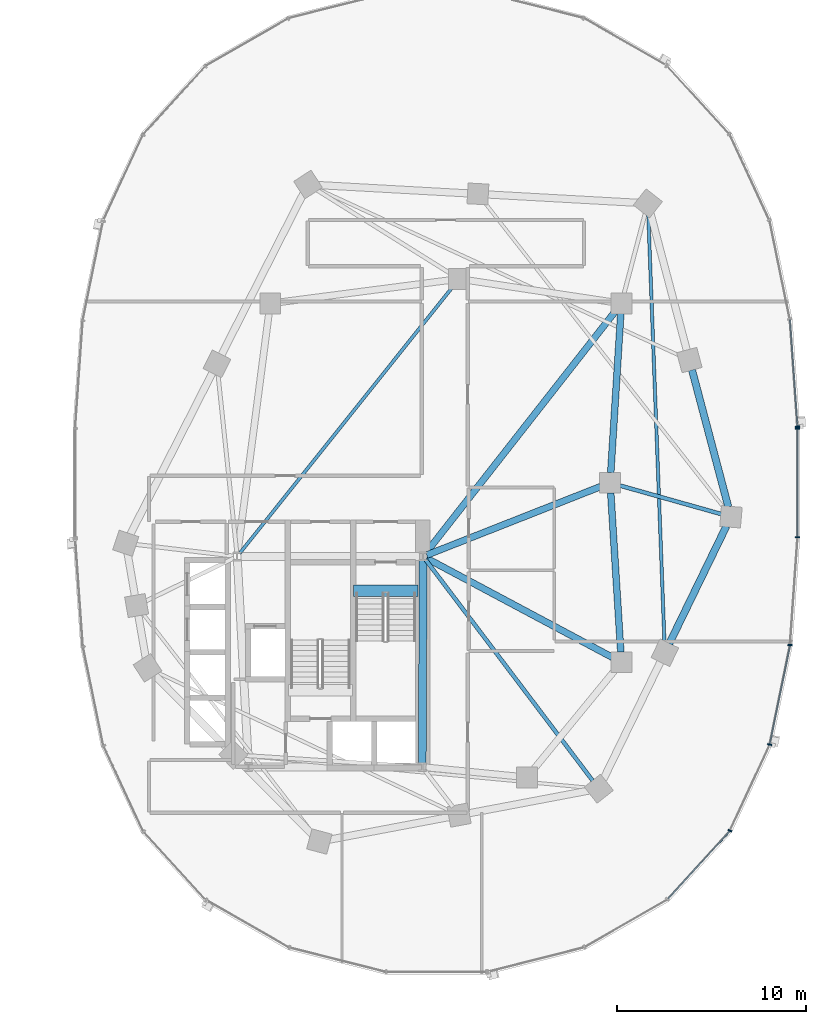
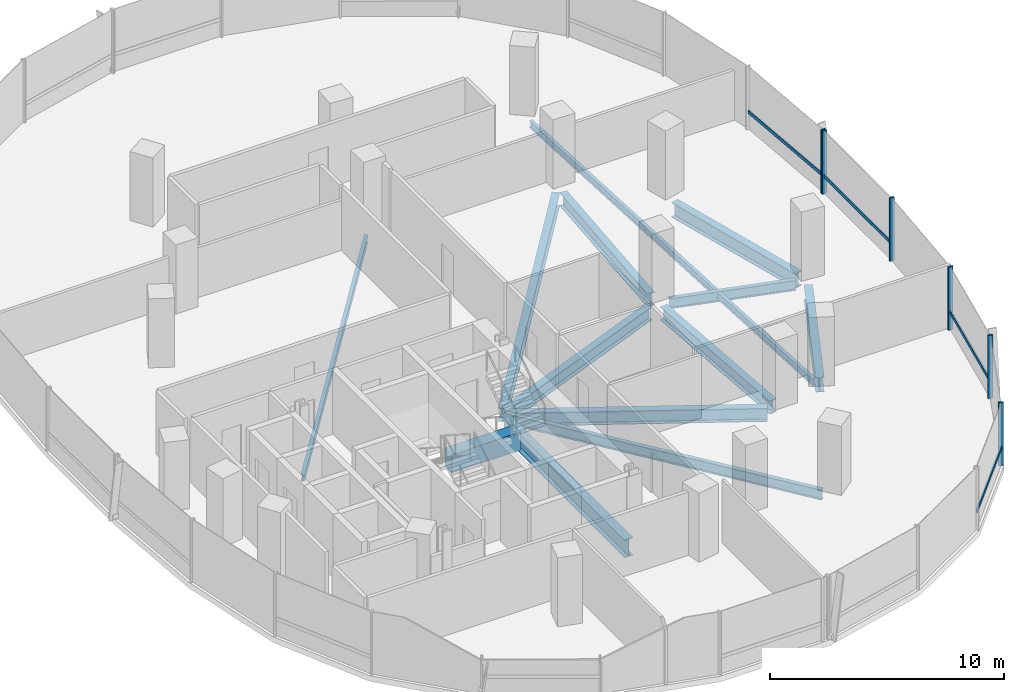
# One storey, part 6 of 21: 13 beams, 10 members, 2 elements without a shape of their own.
"""IFC4 building model written with IfcOpenShell, lengths in metres."""

from ifc_helpers import new_model, si_unit, direction, frame, origin, origin_2d, place, context, subcontext, project, spatial, rectangle, i_section, extrude, material, material_profile, profile_set, type_object, element, aggregate, save


model = new_model("IFC4")

# Units and contexts
model_context = context("Model", 3, precision=1e-05, world=origin(), true_north=direction((0.0, 1.0)))
body_context = subcontext(model_context, "Body", "Model", "MODEL_VIEW")
ifc_project = project(units=[si_unit("LENGTHUNIT", "METRE"), si_unit("AREAUNIT", "SQUARE_METRE"), si_unit("VOLUMEUNIT", "CUBIC_METRE"), si_unit("PLANEANGLEUNIT", "RADIAN"), si_unit("MASSUNIT", "GRAM", prefix="KILO"), si_unit("THERMODYNAMICTEMPERATUREUNIT", "KELVIN"), si_unit("POWERUNIT", "WATT")], contexts=[model_context])

# Site, building, storey
site_placement = place(None, origin())
site = spatial("IfcSite", under=ifc_project, at=site_placement, CompositionType="ELEMENT")
building_placement = place(site_placement, origin())
building = spatial("IfcBuilding", under=site, at=building_placement, Name="Cundina Bronze Exchange", CompositionType="ELEMENT")
storey_placement = place(building_placement, frame((0.0, 0.0, 107.0)))
storey = spatial("IfcBuildingStorey", under=building, at=storey_placement, Name="L27", CompositionType="ELEMENT", Elevation=107.0)

# Beams
ifc_material_1 = material(Name="Concrete C60/75", Category="concrete")
ifc_material_profile_1 = material_profile(ifc_material_1, rectangle(XDim=0.60009765625, YDim=0.949951171875, at=origin_2d()), Name="RC600X950", Category="concrete")
ifc_profile_set_1 = profile_set([ifc_material_profile_1], Name="Concrete C60/75")
beam_type_1 = type_object("IfcBeamType", Name="BM-COUP-RC950", PredefinedType="LINTEL", material=ifc_profile_set_1)
beam_1_placement = place(storey_placement, frame((27.6201171875, -5.719970703125, -0.47509765625), z_axis=(1.0, 0.0, 0.0), x_axis=(0.0, 1.0, 0.0)))
element("IfcBeam", 1, at=beam_1_placement, inside=storey, type_object=beam_type_1, Name="L27 Stair E1 Landing Header Beam", PredefinedType="LINTEL", context=body_context, shape_type="SweptSolid", body=[
    extrude(rectangle(XDim=0.60009765625, YDim=0.949951171875, at=origin_2d()), origin(), (0.0, 0.0, 1.0), 3.39990234375),
])
ifc_material_2 = material(Name="Steel ASTM A992 Grade 50", Category="steel")
ifc_material_profile_2 = material_profile(ifc_material_2, i_section(OverallWidth=0.2099609375, OverallDepth=0.532958984375, WebThickness=0.01025390625, FlangeThickness=0.015625, FilletRadius=0.013916015625, at=origin_2d()), Name="W21X62", Category="steel")
ifc_profile_set_2 = profile_set([ifc_material_profile_2], Name="Steel ASTM A992 Grade 50")
beam_type_2 = type_object("IfcBeamType", Name="BM-FLR-W21B", PredefinedType="BEAM", material=ifc_profile_set_2)
beam_2_placement = place(storey_placement, frame((31.423095703125, -4.062744140625, -0.56640625), z_axis=(0.603095885041, -0.797668699052, 0.0), x_axis=(0.797668699052, 0.603095885041, 0.0)))
element("IfcBeam", 2, at=beam_2_placement, inside=storey, type_object=beam_type_2, Name="L27 Leg E Chordal Floor Beam 06", PredefinedType="BEAM", context=body_context, shape_type="SweptSolid", body=[
    extrude(i_section(OverallWidth=0.2099609375, OverallDepth=0.532958984375, WebThickness=0.01025390625, FlangeThickness=0.015625, FilletRadius=0.013916015625, at=origin_2d()), origin(), (0.0, 0.0, 1.0), 14.677978515625),
])
beam_3_placement = place(storey_placement, frame((41.718017578125, -0.145751953125, -0.56640625), z_axis=(0.962654865541, -0.270731619598, 0.0), x_axis=(0.270731619598, 0.962654865541, 0.0)))
element("IfcBeam", 3, at=beam_3_placement, inside=storey, type_object=beam_type_2, Name="L27 Leg E Chordal Floor Beam 08", PredefinedType="BEAM", context=body_context, shape_type="SweptSolid", body=[
    extrude(i_section(OverallWidth=0.2099609375, OverallDepth=0.532958984375, WebThickness=0.01025390625, FlangeThickness=0.015625, FilletRadius=0.013916015625, at=origin_2d()), origin(), (0.0, 0.0, 1.0), 5.572021484375),
])
ifc_material_profile_3 = material_profile(ifc_material_2, i_section(OverallWidth=0.172119140625, OverallDepth=0.35791015625, WebThickness=0.0078125, FlangeThickness=0.01318359375, FilletRadius=0.010009765625, at=origin_2d()), Name="W14X38", Category="steel")
ifc_profile_set_3 = profile_set([ifc_material_profile_3], Name="Steel ASTM A992 Grade 50")
beam_type_3 = type_object("IfcBeamType", Name="BM-JST-W14", PredefinedType="JOIST", material=ifc_profile_set_3)
beam_4_placement = place(storey_placement, frame((21.577392578125, -3.740478515625, -0.47900390625), z_axis=(0.62436887964, 0.781129632095, 0.0), x_axis=(-0.781129632095, 0.62436887964, 0.0)))
element("IfcBeam", 4, at=beam_4_placement, inside=storey, type_object=beam_type_3, Name="L27 E Interior Core-to-Ring Joist 2", PredefinedType="JOIST", context=body_context, shape_type="SweptSolid", body=[
    extrude(i_section(OverallWidth=0.172119140625, OverallDepth=0.35791015625, WebThickness=0.0078125, FlangeThickness=0.01318359375, FilletRadius=0.010009765625, at=origin_2d()), origin(), (0.0, 0.0, 1.0), 18.076904296875),
])
beam_5_placement = place(storey_placement, frame((44.07958984375, -8.46240234375, -0.47900390625), z_axis=(-0.03778951385, 0.999285721224, 0.0), x_axis=(-0.999285721224, -0.03778951385, 0.0)))
element("IfcBeam", 5, at=beam_5_placement, inside=storey, type_object=beam_type_3, Name="L27 Leg E Lobe Floor Joist 07-10", PredefinedType="JOIST", context=body_context, shape_type="SweptSolid", body=[
    extrude(i_section(OverallWidth=0.172119140625, OverallDepth=0.35791015625, WebThickness=0.0078125, FlangeThickness=0.01318359375, FilletRadius=0.010009765625, at=origin_2d()), origin(), (0.0, 0.0, 1.0), 22.7412109375),
])
ifc_material_profile_4 = material_profile(ifc_material_2, i_section(OverallWidth=0.35498046875, OverallDepth=0.695068359375, WebThickness=0.015380859375, FlangeThickness=0.02490234375, FilletRadius=0.01806640625, at=origin_2d()), Name="W27X146", Category="steel")
ifc_profile_set_4 = profile_set([ifc_material_profile_4], Name="Steel ASTM A992 Grade 50")
beam_type_4 = type_object("IfcBeamType", Name="BM-RING-W27", PredefinedType="USERDEFINED", material=ifc_profile_set_4)
for number, where, z_axis, x_axis, name in (
    (6, (41.76611328125, -8.963134765625, -0.6474609375), (-0.06303715519, 0.998011180832, 0.0), (-0.998011180832, -0.06303715519, 0.0), "L27 E Inner Structural Ring Girder 03"),
    (7, (41.23388671875, 0.536865234375, -0.6474609375), (0.06303715519, 0.998011180832, 0.0), (-0.998011180832, 0.06303715519, 0.0), "L27 E Inner Structural Ring Girder 04"),
):
    element("IfcBeam", number, at=place(storey_placement, frame(where, z_axis=z_axis, x_axis=x_axis)), inside=storey, type_object=beam_type_4, Name=name, ObjectType="GIRDER", PredefinedType="USERDEFINED", context=body_context, shape_type="SweptSolid", body=[
        extrude(i_section(OverallWidth=0.35498046875, OverallDepth=0.695068359375, WebThickness=0.015380859375, FlangeThickness=0.02490234375, FilletRadius=0.01806640625, at=origin_2d()), origin(), (0.0, 0.0, 1.0), 8.443115234375),
    ])
beam_6_placement = place(storey_placement, frame((31.48974609375, -3.8251953125, -0.6474609375), z_axis=(0.930413235418, 0.366512225388, 0.0), x_axis=(-0.366512225388, 0.930413235418, 0.0)))
element("IfcBeam", 8, at=beam_6_placement, inside=storey, type_object=beam_type_4, Name="L27 E Core-to-Waist Tie Beam 1", ObjectType="GIRDER", PredefinedType="USERDEFINED", context=body_context, shape_type="SweptSolid", body=[
    extrude(i_section(OverallWidth=0.35498046875, OverallDepth=0.695068359375, WebThickness=0.015380859375, FlangeThickness=0.02490234375, FilletRadius=0.01806640625, at=origin_2d()), origin(), (0.0, 0.0, 1.0), 9.8984375),
])
beam_7_placement = place(storey_placement, frame((31.47998046875, -3.99609375, -0.6474609375), z_axis=(0.882354758239, -0.470584828286, 0.0), x_axis=(0.470584828286, 0.882354758239, 0.0)))
element("IfcBeam", 9, at=beam_7_placement, inside=storey, type_object=beam_type_4, Name="L27 E Core-to-Waist Tie Beam 2", ObjectType="GIRDER", PredefinedType="USERDEFINED", context=body_context, shape_type="SweptSolid", body=[
    extrude(i_section(OverallWidth=0.35498046875, OverallDepth=0.695068359375, WebThickness=0.015380859375, FlangeThickness=0.02490234375, FilletRadius=0.01806640625, at=origin_2d()), origin(), (0.0, 0.0, 1.0), 11.157958984375),
])
beam_8_placement = place(storey_placement, frame((31.42578125, -3.739501953125, -0.6474609375), z_axis=(0.616789275748, 0.787128318206, 0.0), x_axis=(-0.787128318206, 0.616789275748, 0.0)))
element("IfcBeam", 10, at=beam_8_placement, inside=storey, type_object=beam_type_4, Name="L27 E Core-to-Waist Tie Beam 3", ObjectType="GIRDER", PredefinedType="USERDEFINED", context=body_context, shape_type="SweptSolid", body=[
    extrude(i_section(OverallWidth=0.35498046875, OverallDepth=0.695068359375, WebThickness=0.015380859375, FlangeThickness=0.02490234375, FilletRadius=0.01806640625, at=origin_2d()), origin(), (0.0, 0.0, 1.0), 16.281982421875),
])
ifc_material_profile_5 = material_profile(ifc_material_2, i_section(OverallWidth=0.381103515625, OverallDepth=0.77294921875, WebThickness=0.0166015625, FlangeThickness=0.027099609375, FilletRadius=0.01904296875, at=origin_2d()), Name="W30X173", Category="steel")
ifc_profile_set_5 = profile_set([ifc_material_profile_5], Name="Steel ASTM A992 Grade 50")
beam_type_5 = type_object("IfcBeamType", Name="BM-RING-W30", PredefinedType="USERDEFINED", material=ifc_profile_set_5)
beam_9_placement = place(storey_placement, frame((44.335205078125, -8.51611328125, -0.6865234375), z_axis=(0.437193894283, 0.899367276924, 0.0), x_axis=(-0.899367276924, 0.437193894283, 0.0)))
element("IfcBeam", 11, at=beam_9_placement, inside=storey, type_object=beam_type_5, Name="L27 E Perimeter Ring Girder 07", ObjectType="GIRDER", PredefinedType="USERDEFINED", context=body_context, shape_type="SweptSolid", body=[
    extrude(i_section(OverallWidth=0.381103515625, OverallDepth=0.77294921875, WebThickness=0.0166015625, FlangeThickness=0.027099609375, FilletRadius=0.01904296875, at=origin_2d()), origin(), (0.0, 0.0, 1.0), 6.929443359375),
])
beam_10_placement = place(storey_placement, frame((47.462158203125, -1.280029296875, -0.6865234375), z_axis=(-0.256209719931, 0.966621218168, 0.0), x_axis=(-0.966621218168, -0.256209719931, 0.0)))
element("IfcBeam", 12, at=beam_10_placement, inside=storey, type_object=beam_type_5, Name="L27 E Perimeter Ring Girder 08", ObjectType="GIRDER", PredefinedType="USERDEFINED", context=body_context, shape_type="SweptSolid", body=[
    extrude(i_section(OverallWidth=0.381103515625, OverallDepth=0.77294921875, WebThickness=0.0166015625, FlangeThickness=0.027099609375, FilletRadius=0.01904296875, at=origin_2d()), origin(), (0.0, 0.0, 1.0), 7.5107421875),
])
ifc_material_profile_6 = material_profile(ifc_material_2, i_section(OverallWidth=0.41796875, OverallDepth=0.927001953125, WebThickness=0.019287109375, FlangeThickness=0.031982421875, FilletRadius=0.02392578125, at=origin_2d()), Name="W36X231", Category="steel")
ifc_profile_set_6 = profile_set([ifc_material_profile_6], Name="Steel ASTM A992 Grade 50")
beam_type_6 = type_object("IfcBeamType", Name="BM-WRN-W36B", PredefinedType="USERDEFINED", material=ifc_profile_set_6)
beam_11_placement = place(storey_placement, frame((31.2509765625, -14.845947265625, -0.763427734375), z_axis=(0.004477329608, 0.99998997671, 0.0), x_axis=(-0.99998997671, 0.004477329608, 0.0)))
element("IfcBeam", 13, at=beam_11_placement, inside=storey, type_object=beam_type_6, Name="L27 E Core Perimeter Tie Girder 4", ObjectType="GIRDER", PredefinedType="USERDEFINED", context=body_context, shape_type="SweptSolid", body=[
    extrude(i_section(OverallWidth=0.41796875, OverallDepth=0.927001953125, WebThickness=0.019287109375, FlangeThickness=0.031982421875, FilletRadius=0.02392578125, at=origin_2d()), origin(), (0.0, 0.0, 1.0), 10.741943359375),
])

# Curtain wall, member
ifc_material_3 = material(Name="Anodised Bronze Aluminium 6063-T6", Category="aluminium")
curtain_wall_type = type_object("IfcCurtainWallType", Name="CWS-TRD-MID", PredefinedType="NOTDEFINED", material=ifc_material_3)
curtain_wall_1_placement = place(storey_placement, origin())
curtain_wall_1 = element("IfcCurtainWall", 14, at=curtain_wall_1_placement, inside=storey, type_object=curtain_wall_type, Name="L27 CW-03 Curtain Wall Run CWR-L27-E1", PredefinedType="NOTDEFINED")
ifc_material_profile_7 = material_profile(ifc_material_3, rectangle(XDim=0.074951171875, YDim=0.219970703125, at=origin_2d()), Name="AL75X220", Category="aluminium")
ifc_profile_set_7 = profile_set([ifc_material_profile_7], Name="Anodised Bronze Aluminium 6063-T6")
member_type_1 = type_object("IfcMemberType", Name="CWM-MUL-220", PredefinedType="MULLION", material=ifc_profile_set_7)
member_1_placement = place(storey_placement, frame((51.12451171875, 2.976318359375, 0.0), z_axis=(0.0, 0.0, 1.0), x_axis=(-0.070278787473, 0.997527389113, 0.0)))
member_1 = element("IfcMember", 15, at=member_1_placement, type_object=member_type_1, Name="CW-03 Mullion 1", PredefinedType="MULLION", context=body_context, shape_type="SweptSolid", body=[
    extrude(rectangle(XDim=0.074951171875, YDim=0.219970703125, at=origin_2d()), origin(), (0.0, 0.0, 1.0), 3.300048828125),
])

# Curtain wall, members
curtain_wall_2_placement = place(storey_placement, origin())
curtain_wall_2 = element("IfcCurtainWall", 16, at=curtain_wall_2_placement, inside=storey, type_object=curtain_wall_type, Name="L27 CW-03 Curtain Wall Run CWR-L27-E4", PredefinedType="NOTDEFINED")
member_2_placement = place(storey_placement, frame((47.544189453125, -18.423583984375, 0.0), z_axis=(0.0, 0.0, 1.0), x_axis=(0.42087749791, 0.907117485088, 0.0)))
member_2 = element("IfcMember", 17, at=member_2_placement, type_object=member_type_1, Name="CW-03 Mullion 4", PredefinedType="MULLION", context=body_context, shape_type="SweptSolid", body=[
    extrude(rectangle(XDim=0.074951171875, YDim=0.219970703125, at=origin_2d()), origin(), (0.0, 0.0, 1.0), 3.300048828125),
])
member_3_placement = place(storey_placement, frame((49.651123046875, -13.861328125, 0.0), z_axis=(0.0, 0.0, 1.0), x_axis=(0.201419845156, 0.979505000486, 0.0)))
member_3 = element("IfcMember", 18, at=member_3_placement, type_object=member_type_1, Name="CW-03 Mullion 5", PredefinedType="MULLION", context=body_context, shape_type="SweptSolid", body=[
    extrude(rectangle(XDim=0.074951171875, YDim=0.219970703125, at=origin_2d()), origin(), (0.0, 0.0, 1.0), 3.300048828125),
])
member_4_placement = place(storey_placement, frame((50.72900390625, -8.591552734375, 0.0), z_axis=(0.0, 0.0, 1.0), x_axis=(0.070278787473, 0.997527389113, 0.0)))
member_4 = element("IfcMember", 19, at=member_4_placement, type_object=member_type_1, Name="CW-03 Mullion 6", PredefinedType="MULLION", context=body_context, shape_type="SweptSolid", body=[
    extrude(rectangle(XDim=0.074951171875, YDim=0.219970703125, at=origin_2d()), origin(), (0.0, 0.0, 1.0), 3.300048828125),
])
member_5_placement = place(storey_placement, frame((51.1279296875, -2.880615234375, 0.0), z_axis=(0.0, 0.0, 1.0), x_axis=(0.0, 1.0, 0.0)))
member_5 = element("IfcMember", 20, at=member_5_placement, type_object=member_type_1, Name="CW-03 Mullion 7", PredefinedType="MULLION", context=body_context, shape_type="SweptSolid", body=[
    extrude(rectangle(XDim=0.074951171875, YDim=0.219970703125, at=origin_2d()), origin(), (0.0, 0.0, 1.0), 3.300048828125),
])
member_6_placement = place(storey_placement, frame((51.1279296875, 2.880615234375, 0.0), z_axis=(0.0, 0.0, 1.0), x_axis=(0.0, 1.0, 0.0)))
member_6 = element("IfcMember", 21, at=member_6_placement, type_object=member_type_1, Name="CW-03 End Mullion", PredefinedType="MULLION", context=body_context, shape_type="SweptSolid", body=[
    extrude(rectangle(XDim=0.074951171875, YDim=0.219970703125, at=origin_2d()), origin(), (0.0, 0.0, 1.0), 3.300048828125),
])

# Member
ifc_material_profile_8 = material_profile(ifc_material_3, rectangle(XDim=0.070068359375, YDim=0.179931640625, at=origin_2d()), Name="AL70X180", Category="aluminium")
ifc_profile_set_8 = profile_set([ifc_material_profile_8], Name="Anodised Bronze Aluminium 6063-T6")
member_type_2 = type_object("IfcMemberType", Name="CWM-TRN-180", PredefinedType="USERDEFINED", material=ifc_profile_set_8)
member_7_placement = place(storey_placement, frame((51.12158203125, 3.017333984375, 0.919921875), z_axis=(-0.070260714471, 0.997528662246, 0.0), x_axis=(-0.997528662246, -0.070260714471, 0.0)))
member_7 = element("IfcMember", 22, at=member_7_placement, type_object=member_type_2, Name="CW-03 Spandrel Transom 1", ObjectType="TRANSOM", PredefinedType="USERDEFINED", context=body_context, shape_type="SweptSolid", body=[
    extrude(rectangle(XDim=0.070068359375, YDim=0.179931640625, at=origin_2d()), origin(), (0.0, 0.0, 1.0), 5.629150390625),
])

aggregate(curtain_wall_1, [member_1, member_7])

member_8_placement = place(storey_placement, frame((44.26708984375, -22.027099609375, 0.919921875), z_axis=(0.674302794847, 0.738454968743, 0.0), x_axis=(-0.738454968743, 0.674302794847, 0.0)))
member_8 = element("IfcMember", 23, at=member_8_placement, type_object=member_type_2, Name="CW-03 Spandrel Transom 3", ObjectType="TRANSOM", PredefinedType="USERDEFINED", context=body_context, shape_type="SweptSolid", body=[
    extrude(rectangle(XDim=0.070068359375, YDim=0.179931640625, at=origin_2d()), origin(), (0.0, 0.0, 1.0), 4.848388671875),
])

member_9_placement = place(storey_placement, frame((49.659423828125, -13.821044921875, 0.919921875), z_axis=(0.201427712708, 0.979503382615, 0.0), x_axis=(-0.979503382615, 0.201427712708, 0.0)))
member_9 = element("IfcMember", 24, at=member_9_placement, type_object=member_type_2, Name="CW-03 Spandrel Transom 5", ObjectType="TRANSOM", PredefinedType="USERDEFINED", context=body_context, shape_type="SweptSolid", body=[
    extrude(rectangle(XDim=0.070068359375, YDim=0.179931640625, at=origin_2d()), origin(), (0.0, 0.0, 1.0), 5.291748046875),
])

member_10_placement = place(storey_placement, frame((51.1279296875, -2.839111328125, 0.919921875), z_axis=(0.0, 1.0, 0.0), x_axis=(-1.0, 0.0, 0.0)))
member_10 = element("IfcMember", 25, at=member_10_placement, type_object=member_type_2, Name="CW-03 Spandrel Transom 7", ObjectType="TRANSOM", PredefinedType="USERDEFINED", context=body_context, shape_type="SweptSolid", body=[
    extrude(rectangle(XDim=0.070068359375, YDim=0.179931640625, at=origin_2d()), origin(), (0.0, 0.0, 1.0), 5.67822265625),
])

aggregate(curtain_wall_2, [member_8, member_2, member_3, member_9, member_4, member_5, member_6, member_10])

save(model, "model.ifc")
